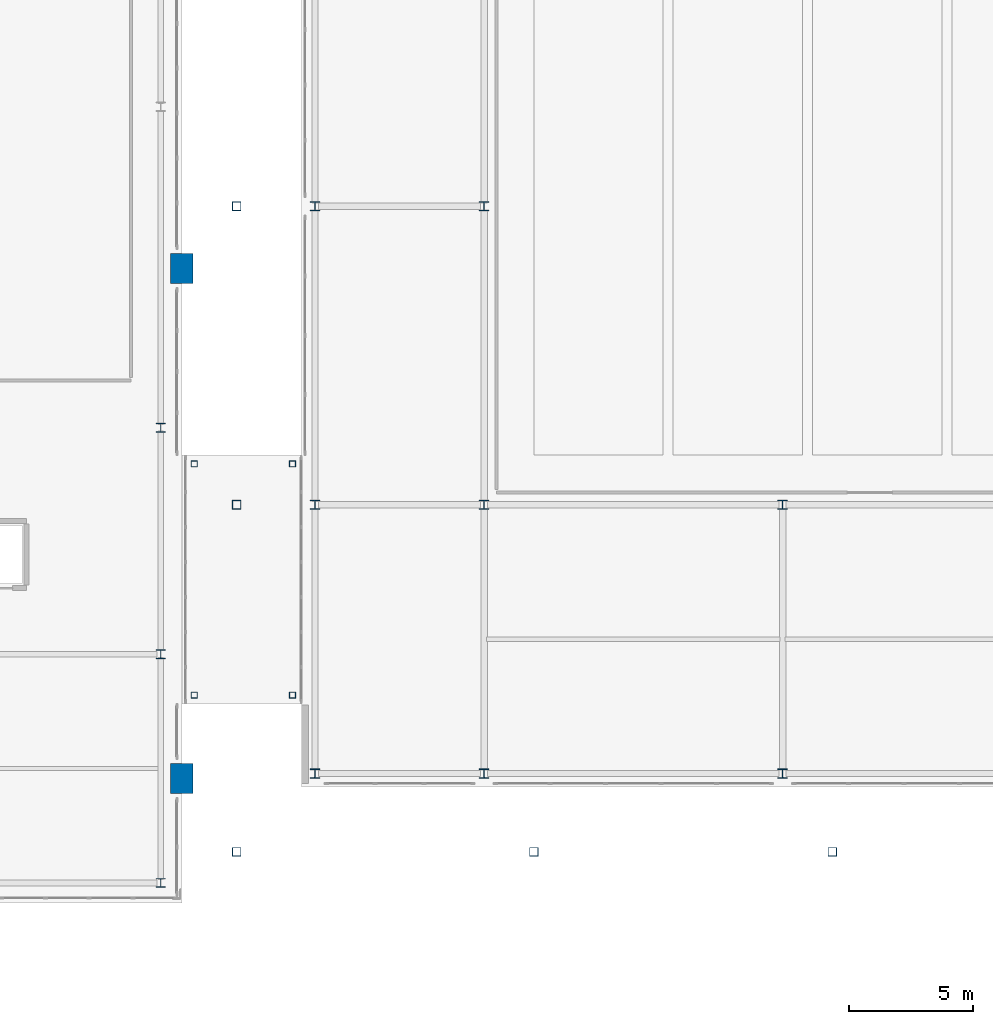
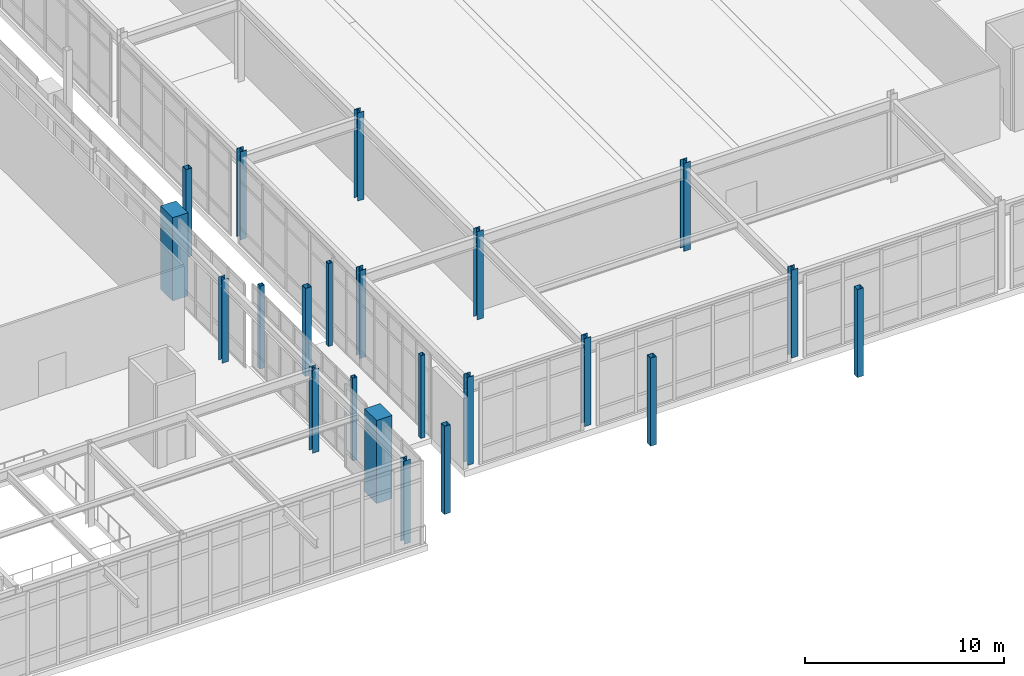
# One storey, part 8 of 159: 22 columns.
"""IFC4 building model written with IfcOpenShell, lengths in metres."""

import ifcopenshell
import ifcopenshell.guid

model = None  # the IFC model being written
_history = None  # IfcOwnerHistory: only IFC2X3 demands one
_inside = {}  # id of a spatial element -> (the spatial element, [elements in it])
_under = {}  # id of a project, library or spatial element -> (it, [spatial elements below it])
_declared = {}  # id of a project -> (the project, [libraries it declares])
_typed = {}  # id of a type object -> (the type object, [elements of that type])
_made_of = {}  # id of a material, layer set ... -> (it, [elements and type objects made of it])


def new_model(schema):
    """Start an empty IFC model of exactly this schema.

    Asked for "IFC4X3", IfcOpenShell would pick the latest addendum, in which some entities
    have other attributes; the version numbers below select the first issue.
    IFC2X3 requires an IfcOwnerHistory on every rooted entity: one is made here for all.
    """
    global model, _history
    if schema == "IFC4X3":
        model = ifcopenshell.file(schema_version=(4, 3, 0, 0))
    else:
        model = ifcopenshell.file(schema=schema)
    _inside.clear()
    _under.clear()
    _declared.clear()
    _typed.clear()
    _made_of.clear()
    _history = None
    if model.schema == "IFC2X3":
        org = make("IfcOrganization", Name="unknown")
        user = make(
            "IfcPersonAndOrganization",
            ThePerson=make("IfcPerson", FamilyName="unknown"),
            TheOrganization=org,
        )
        app = make(
            "IfcApplication",
            ApplicationDeveloper=org,
            Version="unknown",
            ApplicationFullName="unknown",
            ApplicationIdentifier="unknown",
        )
        _history = make(
            "IfcOwnerHistory",
            OwningUser=user,
            OwningApplication=app,
            ChangeAction="ADDED",
            CreationDate=0,
        )
    return model


def make(cls, **values):
    """One entity of the class cls with the attributes given. An attribute that is None is left unset."""
    return model.create_entity(
        cls, **{name: value for name, value in values.items() if value is not None}
    )


def rooted(cls, **values):
    """An entity with a GlobalId (a new one), such as an element, a storey or a relation."""
    return make(cls, GlobalId=ifcopenshell.guid.new(), OwnerHistory=_history, **values)


def si_unit(unit_type, name, prefix=None):
    """IfcSIUnit, for example si_unit("LENGTHUNIT", "METRE", prefix="MILLI")."""
    return make("IfcSIUnit", UnitType=unit_type, Prefix=prefix, Name=name)


def derived_unit(unit_type, elements):
    """IfcDerivedUnit: a product of units, each with its exponent."""
    return make(
        "IfcDerivedUnit",
        Elements=[
            make("IfcDerivedUnitElement", Unit=unit, Exponent=power)
            for unit, power in elements
        ],
        UnitType=unit_type,
    )


def assignment(units):
    """IfcUnitAssignment: the units of a project."""
    return None if units is None else make("IfcUnitAssignment", Units=units)


def point(xyz):
    """IfcCartesianPoint."""
    return None if xyz is None else make("IfcCartesianPoint", Coordinates=xyz)


def direction(xyz):
    """IfcDirection."""
    return None if xyz is None else make("IfcDirection", DirectionRatios=xyz)


def frame(location, z_axis=None, x_axis=None):
    """IfcAxis2Placement3D, a coordinate frame: its origin and axes. An axis left out is left unset."""
    return make(
        "IfcAxis2Placement3D",
        Location=point(location),
        Axis=direction(z_axis),
        RefDirection=direction(x_axis),
    )


def frame_2d(location, x_axis=None):
    """IfcAxis2Placement2D, a coordinate frame in the plane: its origin and x axis."""
    return make(
        "IfcAxis2Placement2D", Location=point(location), RefDirection=direction(x_axis)
    )


def origin():
    """The frame at (0, 0, 0) with its axes left unset."""
    return frame((0.0, 0.0, 0.0))


def origin_2d():
    """The frame at (0, 0) in the plane with its x axis left unset."""
    return frame_2d((0.0, 0.0))


def place(relative_to, where):
    """IfcLocalPlacement: puts the frame where relative to a parent placement (None: the world)."""
    return make(
        "IfcLocalPlacement", PlacementRelTo=relative_to, RelativePlacement=where
    )


def context(
    kind, dimensions, precision=None, world=None, true_north=None, identifier=None
):
    """IfcGeometricRepresentationContext, for example the 3D "Model" context."""
    return make(
        "IfcGeometricRepresentationContext",
        ContextIdentifier=identifier,
        ContextType=kind,
        CoordinateSpaceDimension=dimensions,
        Precision=precision,
        WorldCoordinateSystem=world,
        TrueNorth=true_north,
    )


def subcontext(parent, identifier, kind, view, scale=None):
    """IfcGeometricRepresentationSubContext, for example "Body" below "Model"."""
    return make(
        "IfcGeometricRepresentationSubContext",
        ContextIdentifier=identifier,
        ContextType=kind,
        ParentContext=parent,
        TargetScale=scale,
        TargetView=view,
    )


def project(units=None, contexts=None):
    """IfcProject with its units and contexts."""
    return rooted(
        "IfcProject",
        Name="project",
        RepresentationContexts=contexts,
        UnitsInContext=assignment(units),
    )


def spatial(cls, under=None, at=None, **own):
    """A site, building, storey or space (cls), placed at a placement, below another one or the project."""
    s = rooted(cls, ObjectPlacement=at, **own)
    if under is not None:
        _under.setdefault(under.id(), (under, []))[1].append(s)
    return s


def profile(cls, at=None, kind="AREA", **sizes):
    """A parametric profile (cls). Its sizes go by their IFC names, for example OverallWidth=200.0."""
    return make(cls, ProfileType=kind, Position=at, **sizes)


def rectangle(**sizes):
    """IfcRectangleProfileDef."""
    return profile("IfcRectangleProfileDef", **sizes)


def hollow_rectangle(**sizes):
    """IfcRectangleHollowProfileDef."""
    return profile("IfcRectangleHollowProfileDef", **sizes)


def i_section(**sizes):
    """IfcIShapeProfileDef."""
    return profile("IfcIShapeProfileDef", **sizes)


def extrude(swept, where, along, depth):
    """IfcExtrudedAreaSolid: the profile swept, set in the frame where, extruded along a direction by depth."""
    return make(
        "IfcExtrudedAreaSolid",
        SweptArea=swept,
        Position=where,
        ExtrudedDirection=direction(along),
        Depth=depth,
    )


def shape(context_of_items, identifier, shape_type, items):
    """IfcShapeRepresentation: the items that make up one representation, for example the "Body"."""
    return make(
        "IfcShapeRepresentation",
        ContextOfItems=context_of_items,
        RepresentationIdentifier=identifier,
        RepresentationType=shape_type,
        Items=items,
    )


def material(Name=None, Category=None):
    """IfcMaterial."""
    return make("IfcMaterial", Name=Name, Category=Category)


def material_profile(
    of_material, cross_section, Name=None, Category=None, Priority=None
):
    """IfcMaterialProfile: a cross section and its material."""
    return make(
        "IfcMaterialProfile",
        Name=Name,
        Material=of_material,
        Profile=cross_section,
        Priority=Priority,
        Category=Category,
    )


def profile_set(profiles, Name=None, composite=None):
    """IfcMaterialProfileSet."""
    return make(
        "IfcMaterialProfileSet",
        Name=Name,
        MaterialProfiles=profiles,
        CompositeProfile=composite,
    )


def made_of(thing, what):
    """Note that an element or type object is made of a material, layer set ...; save() writes the relation."""
    if what is not None:
        _made_of.setdefault(what.id(), (what, []))[1].append(thing)
    return thing


def type_object(cls, material=None, **own):
    """A type object (cls), such as IfcWallType, which elements share."""
    return made_of(rooted(cls, **own), material)


def element(
    cls,
    number,
    at=None,
    inside=None,
    cuts=None,
    type_object=None,
    material=None,
    context=None,
    identifier="Body",
    shape_type=None,
    held_by="IfcProductDefinitionShape",
    body=None,
    shapes=None,
    **own,
):
    """One element of the class cls, such as IfcWall. Its Tag is "e" and its number.

    at: its placement. inside: the storey or other place that contains it. cuts: it is an
    opening in that element (IfcRelVoidsElement). A single representation is given by context,
    identifier, shape_type and body (its items); several are given by shapes. held_by: the class
    of the entity that holds the representations. save() writes the other relations.
    """
    e = rooted(cls, Tag="e%d" % number, ObjectPlacement=at, **own)
    if body is not None:
        shapes = [shape(context, identifier, shape_type, body)]
    if shapes is not None:
        e.Representation = make(held_by, Representations=shapes)
    if inside is not None:
        _inside.setdefault(inside.id(), (inside, []))[1].append(e)
    if cuts is not None:
        rooted(
            "IfcRelVoidsElement", RelatingBuildingElement=cuts, RelatedOpeningElement=e
        )
    if type_object is not None:
        _typed.setdefault(type_object.id(), (type_object, []))[1].append(e)
    return made_of(e, material)


def aggregate(whole, parts):
    """IfcRelAggregates: a whole, such as a stair, and the parts it consists of."""
    return rooted("IfcRelAggregates", RelatingObject=whole, RelatedObjects=parts)


def save(model, path):
    """Write the relations noted so far, then the file.

    IfcRelAggregates (storeys below a building ...), IfcRelContainedInSpatialStructure (elements
    in a storey), IfcRelDefinesByType, IfcRelAssociatesMaterial and IfcRelDeclares: one each for
    every whole, place, type object, material and project.
    """
    for whole, parts in _under.values():
        aggregate(whole, parts)
    for where, things in _inside.values():
        rooted(
            "IfcRelContainedInSpatialStructure",
            RelatedElements=things,
            RelatingStructure=where,
        )
    for kind, things in _typed.values():
        rooted("IfcRelDefinesByType", RelatedObjects=things, RelatingType=kind)
    for what, things in _made_of.values():
        rooted("IfcRelAssociatesMaterial", RelatedObjects=things, RelatingMaterial=what)
    for by, libraries in _declared.values():
        rooted("IfcRelDeclares", RelatingContext=by, RelatedDefinitions=libraries)
    model.write(path)


model = new_model("IFC4")

# Units and contexts
model_context = context("Model", 3, precision=1e-05, world=origin(), true_north=direction((0.0, 1.0)))
body_context = subcontext(model_context, "Body", "Model", "MODEL_VIEW")
ifc_project = project(units=[si_unit("LENGTHUNIT", "METRE"), si_unit("AREAUNIT", "SQUARE_METRE"), si_unit("VOLUMEUNIT", "CUBIC_METRE"), si_unit("PLANEANGLEUNIT", "RADIAN"), si_unit("MASSUNIT", "GRAM", prefix="KILO"), derived_unit("THERMALTRANSMITTANCEUNIT", [(si_unit("MASSUNIT", "GRAM", prefix="KILO"), 1), (si_unit("TIMEUNIT", "SECOND"), -3), (si_unit("THERMODYNAMICTEMPERATUREUNIT", "KELVIN"), -1)])], contexts=[model_context])

# Site, building, storey
site_placement = place(None, origin())
site = spatial("IfcSite", under=ifc_project, at=site_placement, CompositionType="ELEMENT")
building_placement = place(site_placement, origin())
building = spatial("IfcBuilding", under=site, at=building_placement, Name="Valcora Ridge Arena", CompositionType="ELEMENT")
storey_placement = place(building_placement, frame((0.0, 0.0, 6.0)))
storey = spatial("IfcBuildingStorey", under=building, at=storey_placement, Name="L01", CompositionType="ELEMENT", Elevation=6.0)

# Columns
ifc_material_1 = material(Name="Steel ASTM A500 Grade C", Category="steel")
ifc_material_profile_1 = material_profile(ifc_material_1, hollow_rectangle(XDim=0.25, YDim=0.25, WallThickness=0.012451171875, at=origin_2d()), Name="HSS250X250X12")
ifc_profile_set_1 = profile_set([ifc_material_profile_1], Name="Steel ASTM A500 Grade C")
column_type_1 = type_object("IfcColumnType", Name="TY-COLUMN-C-BRG250", PredefinedType="COLUMN", material=ifc_profile_set_1)
for number, where, z_axis, x_axis, name in (
    (1, (132.35009765625, 8.35009765625, 0.0), (0.0, 0.0, 1.0), (1.0, 0.0, 0.0), "C-BRG250 COL-BG-C-BRG250-0010"),
    (2, (136.300048828125, 8.35009765625, 0.0), (0.0, 0.0, 1.0), (1.0, 0.0, 0.0), "C-BRG250 COL-BG-C-BRG250-0012"),
    (3, (132.35009765625, 17.64990234375, 0.0), (0.0, 0.0, 1.0), (1.0, 0.0, 0.0), "C-BRG250 COL-BG-C-BRG250-0014"),
    (4, (136.300048828125, 17.64990234375, 0.0), (0.0, 0.0, 1.0), (1.0, 0.0, 0.0), "C-BRG250 COL-BG-C-BRG250-0016"),
):
    element("IfcColumn", number, at=place(storey_placement, frame(where, z_axis=z_axis, x_axis=x_axis)), inside=storey, type_object=column_type_1, Name=name, PredefinedType="COLUMN", context=body_context, shape_type="SweptSolid", body=[
        extrude(hollow_rectangle(XDim=0.25, YDim=0.25, WallThickness=0.012451171875, at=origin_2d()), origin(), (0.0, 0.0, 1.0), 5.080078125),
    ])
ifc_material_2 = material(Name="Bush-hammered Andean travertine architectural concrete C45/55", Category="masonry")
ifc_material_profile_2 = material_profile(ifc_material_2, rectangle(XDim=0.89990234375, YDim=1.199951171875, at=origin_2d()), Name="RC 900x1200")
ifc_profile_set_2 = profile_set([ifc_material_profile_2], Name="Bush-hammered Andean travertine architectural concrete C45/55")
column_type_2 = type_object("IfcColumnType", Name="TY-COLUMN-C-BUTT-1200", PredefinedType="PILASTER", material=ifc_profile_set_2)
for number, where, z_axis, x_axis, name in (
    (5, (131.85009765625, 5.0, 0.0), (0.0, 0.0, 1.0), (1.0, 0.0, 0.0), "C-BUTT-1200 COL-C-BUTT-1200-0432"),
    (6, (131.85009765625, 25.5, 0.0), (0.0, 0.0, 1.0), (1.0, 0.0, 0.0), "C-BUTT-1200 COL-C-BUTT-1200-0434"),
):
    element("IfcColumn", number, at=place(storey_placement, frame(where, z_axis=z_axis, x_axis=x_axis)), inside=storey, type_object=column_type_2, Name=name, PredefinedType="PILASTER", context=body_context, shape_type="SweptSolid", body=[
        extrude(rectangle(XDim=0.89990234375, YDim=1.199951171875, at=origin_2d()), origin(), (0.0, 0.0, 1.0), 5.10009765625),
    ])
ifc_material_profile_3 = material_profile(ifc_material_1, hollow_rectangle(XDim=0.35009765625, YDim=0.35009765625, WallThickness=0.01611328125, at=origin_2d()), Name="HSS350X350X16")
ifc_profile_set_3 = profile_set([ifc_material_profile_3], Name="Steel ASTM A500 Grade C")
column_type_3 = type_object("IfcColumnType", Name="TY-COLUMN-C-COL350", PredefinedType="COLUMN", material=ifc_profile_set_3)
for number, where, z_axis, x_axis, name in (
    (7, (134.050048828125, 2.050048828125, 0.0), (0.0, 0.0, 1.0), (1.0, 0.0, 0.0), "C-COL350 COL-C-COL350-0002"),
    (8, (134.050048828125, 16.0, 0.0), (0.0, 0.0, 1.0), (1.0, 0.0, 0.0), "C-COL350 COL-C-COL350-0005"),
    (9, (134.050048828125, 28.0, 0.0), (0.0, 0.0, 1.0), (1.0, 0.0, 0.0), "C-COL350 COL-C-COL350-0008"),
    (10, (146.0, 2.050048828125, 0.0), (0.0, 0.0, 1.0), (1.0, 0.0, 0.0), "C-COL350 COL-C-COL350-0044"),
    (11, (158.0, 2.050048828125, 0.0), (0.0, 0.0, 1.0), (1.0, 0.0, 0.0), "C-COL350 COL-C-COL350-0047"),
):
    element("IfcColumn", number, at=place(storey_placement, frame(where, z_axis=z_axis, x_axis=x_axis)), inside=storey, type_object=column_type_3, Name=name, PredefinedType="COLUMN", context=body_context, shape_type="SweptSolid", body=[
        extrude(hollow_rectangle(XDim=0.35009765625, YDim=0.35009765625, WallThickness=0.01611328125, at=origin_2d()), origin(), (0.0, 0.0, 1.0), 5.39990234375),
    ])
ifc_material_3 = material(Name="Steel ASTM A572 Grade 50", Category="steel")
ifc_material_profile_4 = material_profile(ifc_material_3, i_section(OverallWidth=0.3740234375, OverallDepth=0.373046875, WebThickness=0.016357421875, FlangeThickness=0.026123046875, FilletRadius=0.01806640625, at=origin_2d()), Name="W14X132")
ifc_profile_set_4 = profile_set([ifc_material_profile_4], Name="Steel ASTM A572 Grade 50")
column_type_4 = type_object("IfcColumnType", Name="TY-COLUMN-C-STL14B", PredefinedType="COLUMN", material=ifc_profile_set_4)
for number, where, z_axis, x_axis, name in (
    (12, (137.199951171875, 5.199951171875, 0.0), (0.0, 0.0, 1.0), (1.0, 0.0, 0.0), "C-STL14B COL-C-STL14B-0001"),
    (13, (137.199951171875, 16.0, 0.0), (0.0, 0.0, 1.0), (1.0, 0.0, 0.0), "C-STL14B COL-C-STL14B-0003"),
    (14, (137.199951171875, 28.0, 0.0), (0.0, 0.0, 1.0), (1.0, 0.0, 0.0), "C-STL14B COL-C-STL14B-0005"),
    (15, (144.0, 5.199951171875, 0.0), (0.0, 0.0, 1.0), (1.0, 0.0, 0.0), "C-STL14B COL-C-STL14B-0015"),
    (16, (144.0, 16.0, 0.0), (0.0, 0.0, 1.0), (1.0, 0.0, 0.0), "C-STL14B COL-C-STL14B-0017"),
    (17, (144.0, 28.0, 0.0), (0.0, 0.0, 1.0), (1.0, 0.0, 0.0), "C-STL14B COL-C-STL14B-0019"),
    (18, (156.0, 5.199951171875, 0.0), (0.0, 0.0, 1.0), (1.0, 0.0, 0.0), "C-STL14B COL-C-STL14B-0029"),
    (19, (156.0, 16.0, 0.0), (0.0, 0.0, 1.0), (1.0, 0.0, 0.0), "C-STL14B COL-C-STL14B-0031"),
):
    element("IfcColumn", number, at=place(storey_placement, frame(where, z_axis=z_axis, x_axis=x_axis)), inside=storey, type_object=column_type_4, Name=name, PredefinedType="COLUMN", context=body_context, shape_type="SweptSolid", body=[
        extrude(i_section(OverallWidth=0.3740234375, OverallDepth=0.373046875, WebThickness=0.016357421875, FlangeThickness=0.026123046875, FilletRadius=0.01806640625, at=origin_2d()), origin(), (0.0, 0.0, 1.0), 5.39990234375),
    ])
ifc_material_profile_5 = material_profile(ifc_material_3, i_section(OverallWidth=0.368896484375, OverallDepth=0.35595703125, WebThickness=0.01123046875, FlangeThickness=0.01806640625, FilletRadius=0.01806640625, at=origin_2d()), Name="W14X90")
ifc_profile_set_5 = profile_set([ifc_material_profile_5], Name="Steel ASTM A572 Grade 50")
column_type_5 = type_object("IfcColumnType", Name="TY-COLUMN-C-STL14D", PredefinedType="COLUMN", material=ifc_profile_set_5)
for number, where, z_axis, x_axis, name in (
    (20, (131.0, 0.800048828125, 0.0), (0.0, 0.0, 1.0), (1.0, 0.0, 0.0), "C-STL14D COL-C-STL14D-0004"),
    (21, (131.0, 10.0, 0.0), (0.0, 0.0, 1.0), (1.0, 0.0, 0.0), "C-STL14D COL-C-STL14D-0008"),
    (22, (131.0, 19.10009765625, 0.0), (0.0, 0.0, 1.0), (1.0, 0.0, 0.0), "C-STL14D COL-C-STL14D-0012"),
):
    element("IfcColumn", number, at=place(storey_placement, frame(where, z_axis=z_axis, x_axis=x_axis)), inside=storey, type_object=column_type_5, Name=name, PredefinedType="COLUMN", context=body_context, shape_type="SweptSolid", body=[
        extrude(i_section(OverallWidth=0.368896484375, OverallDepth=0.35595703125, WebThickness=0.01123046875, FlangeThickness=0.01806640625, FilletRadius=0.01806640625, at=origin_2d()), origin(), (0.0, 0.0, 1.0), 5.10009765625),
    ])

save(model, "model.ifc")
